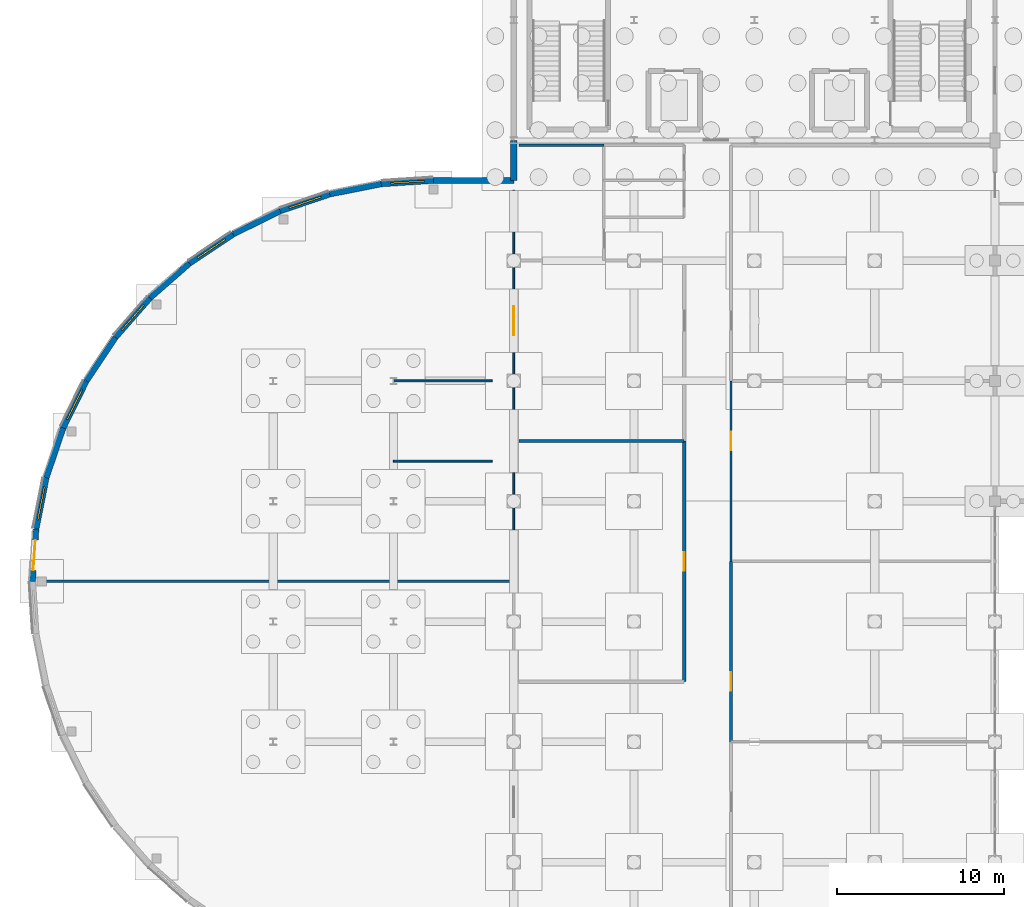
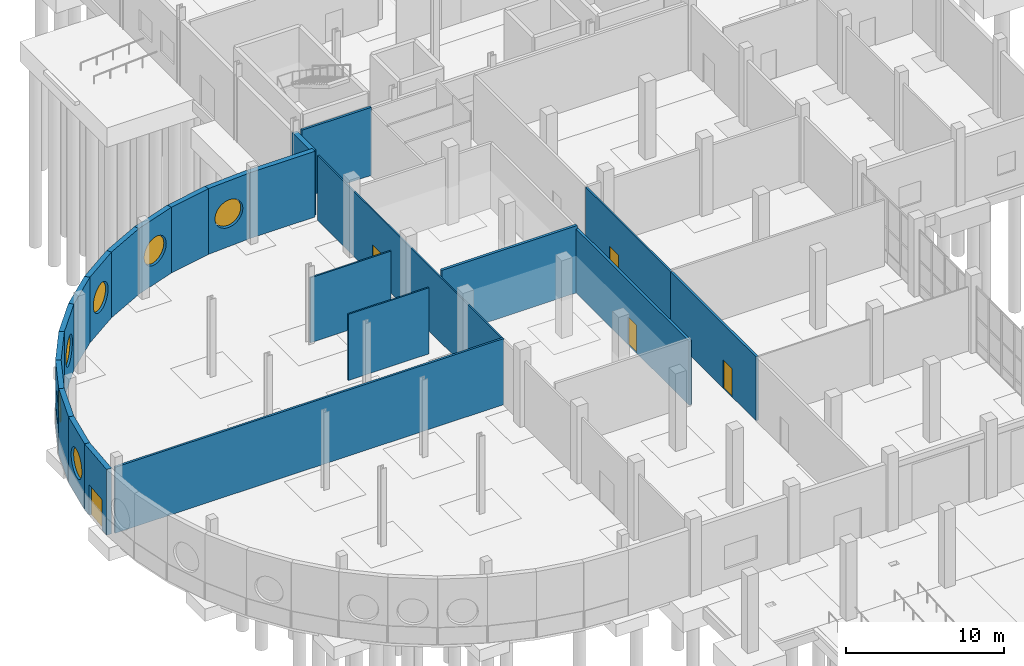
# One storey, part 30 of 45: 23 walls, 6 windows, 5 doors, 11 openings.
"""IFC4 building model written with IfcOpenShell, lengths in metres."""

from ifc_helpers import new_model, si_unit, direction, frame, frame_2d, origin, place, context, subcontext, project, spatial, polyline, rectangle, outline, extrude, material, layer, layer_set, type_object, element, fill, save


model = new_model("IFC4")

# Units and contexts
model_context = context("Model", 3, precision=1e-05, world=origin(), true_north=direction((0.0, 1.0)))
body_context = subcontext(model_context, "Body", "Model", "MODEL_VIEW")
ifc_project = project(units=[si_unit("LENGTHUNIT", "METRE"), si_unit("AREAUNIT", "SQUARE_METRE"), si_unit("VOLUMEUNIT", "CUBIC_METRE"), si_unit("PLANEANGLEUNIT", "RADIAN"), si_unit("MASSUNIT", "GRAM", prefix="KILO")], contexts=[model_context])

# Site, building, storey
site_placement = place(None, origin())
site = spatial("IfcSite", under=ifc_project, at=site_placement, CompositionType="ELEMENT")
building_placement = place(site_placement, origin())
building = spatial("IfcBuilding", under=site, at=building_placement, Name="Yarey Park Central Fire Station", CompositionType="ELEMENT")
storey_placement = place(building_placement, origin())
storey = spatial("IfcBuildingStorey", under=building, at=storey_placement, Name="L01", CompositionType="ELEMENT", Elevation=0.0)

# Wall, opening, window
ifc_material_1 = material(Name="Coral-Limestone Masonry Wall", Category="masonry")
ifc_layer_1 = layer(ifc_material_1, 0.360107421875)
ifc_layer_set_1 = layer_set([ifc_layer_1], Name="Coral-Limestone Masonry Wall")
wall_type_1 = type_object("IfcWallType", Name="ENV_WALL_LIME360", PredefinedType="STANDARD", material=ifc_layer_set_1)
wall_1_placement = place(storey_placement, frame((24.0, 55.199951171875, 0.0), z_axis=(0.0, 0.0, 1.0), x_axis=(-0.997858863202, -0.065404045199, 0.0)))
wall_1 = element("IfcWall", 1, at=wall_1_placement, inside=storey, type_object=wall_type_1, Name="EW_L01_V1_ARC_01", PredefinedType="STANDARD", context=body_context, shape_type="SweptSolid", body=[
    extrude(rectangle(XDim=3.139404296875, YDim=0.360107421875, at=frame_2d((1.56982421875, 0.0))), origin(), (0.0, 0.0, 1.0), 5.080078125),
])
opening_1_placement = place(wall_1_placement, frame((0.569580078125, 0.0, 1.550048828125)))
opening_1 = element("IfcOpeningElement", 2, at=opening_1_placement, cuts=wall_1, Name="Opening WN-PH200", PredefinedType="OPENING", context=body_context, shape_type="SweptSolid", body=[
    extrude(outline(polyline([(2.06494140625, 1.0), (2.02880859375, 1.275390625), (1.92236328125, 1.531982421875), (1.753173828125, 1.75244140625), (1.532470703125, 1.921630859375), (1.275634765625, 2.02783203125), (1.0, 2.064208984375), (0.724365234375, 2.02783203125), (0.467529296875, 1.921630859375), (0.246826171875, 1.75244140625), (0.07763671875, 1.531982421875), (-0.02880859375, 1.275390625), (-0.06494140625, 1.0), (-0.02880859375, 0.724609375), (0.07763671875, 0.468017578125), (0.246826171875, 0.24755859375), (0.467529296875, 0.078369140625), (0.724365234375, -0.02783203125), (1.0, -0.064208984375), (1.275634765625, -0.02783203125), (1.532470703125, 0.078369140625), (1.753173828125, 0.24755859375), (1.92236328125, 0.468017578125), (2.02880859375, 0.724609375), (2.06494140625, 1.0)])), frame((0.0, 0.18994140625, 0.0), z_axis=(0.0, -1.0, 0.0), x_axis=(1.0, 0.0, 0.0)), (0.0, 0.0, 1.0), 0.380126953125),
])
ifc_material_2 = material(Name="Laminated Hurricane Low-E Glass", Category="glass")
window_type = type_object("IfcWindowType", Name="ENV_WIN_PORTHOLE", PartitioningType="SINGLE_PANEL", PredefinedType="WINDOW", material=ifc_material_2)
window_1_placement = place(opening_1_placement, origin())
window_1 = element("IfcWindow", 3, at=window_1_placement, inside=storey, type_object=window_type, Name="WIN_L01_PORTHOLE_01", OverallHeight=2.0, OverallWidth=2.0, PartitioningType="SINGLE_PANEL", PredefinedType="WINDOW", context=body_context, shape_type="SweptSolid", body=[
    extrude(outline(polyline([(2.0, 1.0), (1.9658203125, 1.258544921875), (1.865966796875, 1.49951171875), (1.70703125, 1.70654296875), (1.5, 1.865234375), (1.2587890625, 1.965087890625), (1.0, 1.999267578125), (0.7412109375, 1.965087890625), (0.5, 1.865234375), (0.29296875, 1.70654296875), (0.134033203125, 1.49951171875), (0.0341796875, 1.258544921875), (0.0, 1.0), (0.0341796875, 0.741455078125), (0.134033203125, 0.50048828125), (0.29296875, 0.29345703125), (0.5, 0.134765625), (0.7412109375, 0.034912109375), (1.0, 0.000732421875), (1.2587890625, 0.034912109375), (1.5, 0.134765625), (1.70703125, 0.29345703125), (1.865966796875, 0.50048828125), (1.9658203125, 0.741455078125), (2.0, 1.0)])), frame((0.0, 0.030029296875, 0.0), z_axis=(0.0, -1.0, 0.0), x_axis=(1.0, 0.0, 0.0)), (0.0, 0.0, 1.0), 0.06005859375),
])
fill(opening_1, window_1)

# Wall
wall_2_placement = place(storey_placement, frame((20.867431640625, 54.99462890625, 0.0), z_axis=(0.0, 0.0, 1.0), x_axis=(-0.980795438829, -0.19503924521, 0.0)))
element("IfcWall", 4, at=wall_2_placement, inside=storey, type_object=wall_type_1, Name="EW_L01_V1_ARC_02", PredefinedType="STANDARD", context=body_context, shape_type="SweptSolid", body=[
    extrude(rectangle(XDim=3.139404296875, YDim=0.360107421875, at=frame_2d((1.56982421875, 0.0))), origin(), (0.0, 0.0, 1.0), 5.080078125),
])

# Wall, opening, window
wall_3_placement = place(storey_placement, frame((17.788330078125, 54.38232421875, 0.0), z_axis=(0.0, 0.0, 1.0), x_axis=(-0.946911073777, -0.321495596172, 0.0)))
wall_3 = element("IfcWall", 5, at=wall_3_placement, inside=storey, type_object=wall_type_1, Name="EW_L01_V1_ARC_03", PredefinedType="STANDARD", context=body_context, shape_type="SweptSolid", body=[
    extrude(rectangle(XDim=3.139404296875, YDim=0.360107421875, at=frame_2d((1.56982421875, 0.0))), origin(), (0.0, 0.0, 1.0), 5.080078125),
])
opening_2_placement = place(wall_3_placement, frame((0.569580078125, 0.0, 1.550048828125)))
opening_2 = element("IfcOpeningElement", 6, at=opening_2_placement, cuts=wall_3, Name="Opening WN-PH200", PredefinedType="OPENING", context=body_context, shape_type="SweptSolid", body=[
    extrude(outline(polyline([(2.06494140625, 1.0), (2.02880859375, 1.275390625), (1.92236328125, 1.531982421875), (1.753173828125, 1.75244140625), (1.532470703125, 1.921630859375), (1.275634765625, 2.02783203125), (1.0, 2.064208984375), (0.724365234375, 2.02783203125), (0.467529296875, 1.921630859375), (0.246826171875, 1.75244140625), (0.07763671875, 1.531982421875), (-0.02880859375, 1.275390625), (-0.06494140625, 1.0), (-0.02880859375, 0.724609375), (0.07763671875, 0.468017578125), (0.246826171875, 0.24755859375), (0.467529296875, 0.078369140625), (0.724365234375, -0.02783203125), (1.0, -0.064208984375), (1.275634765625, -0.02783203125), (1.532470703125, 0.078369140625), (1.753173828125, 0.24755859375), (1.92236328125, 0.468017578125), (2.02880859375, 0.724609375), (2.06494140625, 1.0)])), frame((0.0, 0.18994140625, 0.0), z_axis=(0.0, -1.0, 0.0), x_axis=(1.0, 0.0, 0.0)), (0.0, 0.0, 1.0), 0.380126953125),
])
window_2_placement = place(opening_2_placement, origin())
window_2 = element("IfcWindow", 7, at=window_2_placement, inside=storey, type_object=window_type, Name="WIN_L01_PORTHOLE_02", OverallHeight=2.0, OverallWidth=2.0, PartitioningType="SINGLE_PANEL", PredefinedType="WINDOW", context=body_context, shape_type="SweptSolid", body=[
    extrude(outline(polyline([(2.0, 1.0), (1.9658203125, 1.258544921875), (1.865966796875, 1.49951171875), (1.70703125, 1.70654296875), (1.5, 1.865234375), (1.2587890625, 1.965087890625), (1.0, 1.999267578125), (0.7412109375, 1.965087890625), (0.5, 1.865234375), (0.29296875, 1.70654296875), (0.134033203125, 1.49951171875), (0.0341796875, 1.258544921875), (0.0, 1.0), (0.0341796875, 0.741455078125), (0.134033203125, 0.50048828125), (0.29296875, 0.29345703125), (0.5, 0.134765625), (0.7412109375, 0.034912109375), (1.0, 0.000732421875), (1.2587890625, 0.034912109375), (1.5, 0.134765625), (1.70703125, 0.29345703125), (1.865966796875, 0.50048828125), (1.9658203125, 0.741455078125), (2.0, 1.0)])), frame((0.0, 0.030029296875, 0.0), z_axis=(0.0, -1.0, 0.0), x_axis=(1.0, 0.0, 0.0)), (0.0, 0.0, 1.0), 0.06005859375),
])
fill(opening_2, window_2)

# Wall
wall_4_placement = place(storey_placement, frame((14.815673828125, 53.373046875, 0.0), z_axis=(0.0, 0.0, 1.0), x_axis=(-0.896886505581, -0.442260778396, 0.0)))
element("IfcWall", 8, at=wall_4_placement, inside=storey, type_object=wall_type_1, Name="EW_L01_V1_ARC_04", PredefinedType="STANDARD", context=body_context, shape_type="SweptSolid", body=[
    extrude(rectangle(XDim=3.139404296875, YDim=0.360107421875, at=frame_2d((1.56982421875, 0.0))), origin(), (0.0, 0.0, 1.0), 5.080078125),
])

# Wall, opening, window
wall_5_placement = place(storey_placement, frame((12.0, 51.984619140625, 0.0), z_axis=(0.0, 0.0, 1.0), x_axis=(-0.831475575397, -0.555561308514, 0.0)))
wall_5 = element("IfcWall", 9, at=wall_5_placement, inside=storey, type_object=wall_type_1, Name="EW_L01_V1_ARC_05", PredefinedType="STANDARD", context=body_context, shape_type="SweptSolid", body=[
    extrude(rectangle(XDim=3.139404296875, YDim=0.360107421875, at=frame_2d((1.56982421875, 0.0))), origin(), (0.0, 0.0, 1.0), 5.080078125),
])
opening_3_placement = place(wall_5_placement, frame((0.569580078125, 0.0, 1.550048828125)))
opening_3 = element("IfcOpeningElement", 10, at=opening_3_placement, cuts=wall_5, Name="Opening WN-PH200", PredefinedType="OPENING", context=body_context, shape_type="SweptSolid", body=[
    extrude(outline(polyline([(2.06494140625, 1.0), (2.02880859375, 1.275390625), (1.92236328125, 1.531982421875), (1.753173828125, 1.75244140625), (1.532470703125, 1.921630859375), (1.275634765625, 2.02783203125), (1.0, 2.064208984375), (0.724365234375, 2.02783203125), (0.467529296875, 1.921630859375), (0.246826171875, 1.75244140625), (0.07763671875, 1.531982421875), (-0.02880859375, 1.275390625), (-0.06494140625, 1.0), (-0.02880859375, 0.724609375), (0.07763671875, 0.468017578125), (0.246826171875, 0.24755859375), (0.467529296875, 0.078369140625), (0.724365234375, -0.02783203125), (1.0, -0.064208984375), (1.275634765625, -0.02783203125), (1.532470703125, 0.078369140625), (1.753173828125, 0.24755859375), (1.92236328125, 0.468017578125), (2.02880859375, 0.724609375), (2.06494140625, 1.0)])), frame((0.0, 0.18994140625, 0.0), z_axis=(0.0, -1.0, 0.0), x_axis=(1.0, 0.0, 0.0)), (0.0, 0.0, 1.0), 0.380126953125),
])
window_3_placement = place(opening_3_placement, origin())
window_3 = element("IfcWindow", 11, at=window_3_placement, inside=storey, type_object=window_type, Name="WIN_L01_PORTHOLE_03", OverallHeight=2.0, OverallWidth=2.0, PartitioningType="SINGLE_PANEL", PredefinedType="WINDOW", context=body_context, shape_type="SweptSolid", body=[
    extrude(outline(polyline([(2.0, 1.0), (1.9658203125, 1.258544921875), (1.865966796875, 1.49951171875), (1.70703125, 1.70654296875), (1.5, 1.865234375), (1.2587890625, 1.965087890625), (1.0, 1.999267578125), (0.7412109375, 1.965087890625), (0.5, 1.865234375), (0.29296875, 1.70654296875), (0.134033203125, 1.49951171875), (0.0341796875, 1.258544921875), (0.0, 1.0), (0.0341796875, 0.741455078125), (0.134033203125, 0.50048828125), (0.29296875, 0.29345703125), (0.5, 0.134765625), (0.7412109375, 0.034912109375), (1.0, 0.000732421875), (1.2587890625, 0.034912109375), (1.5, 0.134765625), (1.70703125, 0.29345703125), (1.865966796875, 0.50048828125), (1.9658203125, 0.741455078125), (2.0, 1.0)])), frame((0.0, 0.030029296875, 0.0), z_axis=(0.0, -1.0, 0.0), x_axis=(1.0, 0.0, 0.0)), (0.0, 0.0, 1.0), 0.06005859375),
])
fill(opening_3, window_3)

# Wall
wall_6_placement = place(storey_placement, frame((9.3896484375, 50.240478515625, 0.0), z_axis=(0.0, 0.0, 1.0), x_axis=(-0.751829454472, -0.659357620255, 0.0)))
element("IfcWall", 12, at=wall_6_placement, inside=storey, type_object=wall_type_1, Name="EW_L01_V1_ARC_06", PredefinedType="STANDARD", context=body_context, shape_type="SweptSolid", body=[
    extrude(rectangle(XDim=3.13916015625, YDim=0.360107421875, at=frame_2d((1.569580078125, 0.0))), origin(), (0.0, 0.0, 1.0), 5.080078125),
])

# Wall, opening, window
wall_7_placement = place(storey_placement, frame((7.029541015625, 48.170654296875, 0.0), z_axis=(0.0, 0.0, 1.0), x_axis=(-0.659363026646, -0.75182471301, 0.0)))
wall_7 = element("IfcWall", 13, at=wall_7_placement, inside=storey, type_object=wall_type_1, Name="EW_L01_V1_ARC_07", PredefinedType="STANDARD", context=body_context, shape_type="SweptSolid", body=[
    extrude(rectangle(XDim=3.139404296875, YDim=0.360107421875, at=frame_2d((1.56982421875, 0.0))), origin(), (0.0, 0.0, 1.0), 5.080078125),
])
opening_4_placement = place(wall_7_placement, frame((0.569580078125, 0.0, 1.550048828125)))
opening_4 = element("IfcOpeningElement", 14, at=opening_4_placement, cuts=wall_7, Name="Opening WN-PH200", PredefinedType="OPENING", context=body_context, shape_type="SweptSolid", body=[
    extrude(outline(polyline([(2.06494140625, 1.0), (2.02880859375, 1.275390625), (1.92236328125, 1.531982421875), (1.753173828125, 1.75244140625), (1.532470703125, 1.921630859375), (1.275634765625, 2.02783203125), (1.0, 2.064208984375), (0.724365234375, 2.02783203125), (0.467529296875, 1.921630859375), (0.246826171875, 1.75244140625), (0.07763671875, 1.531982421875), (-0.02880859375, 1.275390625), (-0.06494140625, 1.0), (-0.02880859375, 0.724609375), (0.07763671875, 0.468017578125), (0.246826171875, 0.24755859375), (0.467529296875, 0.078369140625), (0.724365234375, -0.02783203125), (1.0, -0.064208984375), (1.275634765625, -0.02783203125), (1.532470703125, 0.078369140625), (1.753173828125, 0.24755859375), (1.92236328125, 0.468017578125), (2.02880859375, 0.724609375), (2.06494140625, 1.0)])), frame((0.0, 0.18994140625, 0.0), z_axis=(0.0, -1.0, 0.0), x_axis=(1.0, 0.0, 0.0)), (0.0, 0.0, 1.0), 0.380126953125),
])
window_4_placement = place(opening_4_placement, origin())
window_4 = element("IfcWindow", 15, at=window_4_placement, inside=storey, type_object=window_type, Name="WIN_L01_PORTHOLE_04", OverallHeight=2.0, OverallWidth=2.0, PartitioningType="SINGLE_PANEL", PredefinedType="WINDOW", context=body_context, shape_type="SweptSolid", body=[
    extrude(outline(polyline([(2.0, 1.0), (1.9658203125, 1.258544921875), (1.865966796875, 1.49951171875), (1.70703125, 1.70654296875), (1.5, 1.865234375), (1.2587890625, 1.965087890625), (1.0, 1.999267578125), (0.7412109375, 1.965087890625), (0.5, 1.865234375), (0.29296875, 1.70654296875), (0.134033203125, 1.49951171875), (0.0341796875, 1.258544921875), (0.0, 1.0), (0.0341796875, 0.741455078125), (0.134033203125, 0.50048828125), (0.29296875, 0.29345703125), (0.5, 0.134765625), (0.7412109375, 0.034912109375), (1.0, 0.000732421875), (1.2587890625, 0.034912109375), (1.5, 0.134765625), (1.70703125, 0.29345703125), (1.865966796875, 0.50048828125), (1.9658203125, 0.741455078125), (2.0, 1.0)])), frame((0.0, 0.030029296875, 0.0), z_axis=(0.0, -1.0, 0.0), x_axis=(1.0, 0.0, 0.0)), (0.0, 0.0, 1.0), 0.06005859375),
])
fill(opening_4, window_4)

# Wall
wall_8_placement = place(storey_placement, frame((4.95947265625, 45.810302734375, 0.0), z_axis=(0.0, 0.0, 1.0), x_axis=(-0.555561308514, -0.831475575397, 0.0)))
element("IfcWall", 16, at=wall_8_placement, inside=storey, type_object=wall_type_1, Name="EW_L01_V1_ARC_08", PredefinedType="STANDARD", context=body_context, shape_type="SweptSolid", body=[
    extrude(rectangle(XDim=3.139404296875, YDim=0.360107421875, at=frame_2d((1.56982421875, 0.0))), origin(), (0.0, 0.0, 1.0), 5.080078125),
])

# Wall, opening, window
wall_9_placement = place(storey_placement, frame((3.21533203125, 43.199951171875, 0.0), z_axis=(0.0, 0.0, 1.0), x_axis=(-0.442291627156, -0.896871293189, 0.0)))
wall_9 = element("IfcWall", 17, at=wall_9_placement, inside=storey, type_object=wall_type_1, Name="EW_L01_V1_ARC_09", PredefinedType="STANDARD", context=body_context, shape_type="SweptSolid", body=[
    extrude(rectangle(XDim=3.13916015625, YDim=0.360107421875, at=frame_2d((1.569580078125, 0.0))), origin(), (0.0, 0.0, 1.0), 5.080078125),
])
opening_5_placement = place(wall_9_placement, frame((0.569580078125, 0.0, 1.550048828125)))
opening_5 = element("IfcOpeningElement", 18, at=opening_5_placement, cuts=wall_9, Name="Opening WN-PH200", PredefinedType="OPENING", context=body_context, shape_type="SweptSolid", body=[
    extrude(outline(polyline([(2.06494140625, 1.0), (2.02880859375, 1.275390625), (1.92236328125, 1.531982421875), (1.753173828125, 1.75244140625), (1.532470703125, 1.921630859375), (1.275634765625, 2.02783203125), (1.0, 2.064208984375), (0.724365234375, 2.02783203125), (0.467529296875, 1.921630859375), (0.246826171875, 1.75244140625), (0.07763671875, 1.531982421875), (-0.02880859375, 1.275390625), (-0.06494140625, 1.0), (-0.02880859375, 0.724609375), (0.07763671875, 0.468017578125), (0.246826171875, 0.24755859375), (0.467529296875, 0.078369140625), (0.724365234375, -0.02783203125), (1.0, -0.064208984375), (1.275634765625, -0.02783203125), (1.532470703125, 0.078369140625), (1.753173828125, 0.24755859375), (1.92236328125, 0.468017578125), (2.02880859375, 0.724609375), (2.06494140625, 1.0)])), frame((0.0, 0.18994140625, 0.0), z_axis=(0.0, -1.0, 0.0), x_axis=(1.0, 0.0, 0.0)), (0.0, 0.0, 1.0), 0.380126953125),
])
window_5_placement = place(opening_5_placement, origin())
window_5 = element("IfcWindow", 19, at=window_5_placement, inside=storey, type_object=window_type, Name="WIN_L01_PORTHOLE_05", OverallHeight=2.0, OverallWidth=2.0, PartitioningType="SINGLE_PANEL", PredefinedType="WINDOW", context=body_context, shape_type="SweptSolid", body=[
    extrude(outline(polyline([(2.0, 1.0), (1.9658203125, 1.258544921875), (1.865966796875, 1.49951171875), (1.70703125, 1.70654296875), (1.5, 1.865234375), (1.2587890625, 1.965087890625), (1.0, 1.999267578125), (0.7412109375, 1.965087890625), (0.5, 1.865234375), (0.29296875, 1.70654296875), (0.134033203125, 1.49951171875), (0.0341796875, 1.258544921875), (0.0, 1.0), (0.0341796875, 0.741455078125), (0.134033203125, 0.50048828125), (0.29296875, 0.29345703125), (0.5, 0.134765625), (0.7412109375, 0.034912109375), (1.0, 0.000732421875), (1.2587890625, 0.034912109375), (1.5, 0.134765625), (1.70703125, 0.29345703125), (1.865966796875, 0.50048828125), (1.9658203125, 0.741455078125), (2.0, 1.0)])), frame((0.0, 0.030029296875, 0.0), z_axis=(0.0, -1.0, 0.0), x_axis=(1.0, 0.0, 0.0)), (0.0, 0.0, 1.0), 0.06005859375),
])
fill(opening_5, window_5)

# Wall
wall_10_placement = place(storey_placement, frame((1.826904296875, 40.384521484375, 0.0), z_axis=(0.0, 0.0, 1.0), x_axis=(-0.321402193691, -0.946942780685, 0.0)))
element("IfcWall", 20, at=wall_10_placement, inside=storey, type_object=wall_type_1, Name="EW_L01_V1_ARC_10", PredefinedType="STANDARD", context=body_context, shape_type="SweptSolid", body=[
    extrude(rectangle(XDim=3.139404296875, YDim=0.360107421875, at=frame_2d((1.56982421875, 0.0))), origin(), (0.0, 0.0, 1.0), 5.080078125),
])

# Wall, opening, window
wall_11_placement = place(storey_placement, frame((0.81787109375, 37.41162109375, 0.0), z_axis=(0.0, 0.0, 1.0), x_axis=(-0.195114052077, -0.980780559902, 0.0)))
wall_11 = element("IfcWall", 21, at=wall_11_placement, inside=storey, type_object=wall_type_1, Name="EW_L01_V1_ARC_11", PredefinedType="STANDARD", context=body_context, shape_type="SweptSolid", body=[
    extrude(rectangle(XDim=3.139404296875, YDim=0.360107421875, at=frame_2d((1.56982421875, 0.0))), origin(), (0.0, 0.0, 1.0), 5.080078125),
])
opening_6_placement = place(wall_11_placement, frame((0.569580078125, 0.0, 1.550048828125)))
opening_6 = element("IfcOpeningElement", 22, at=opening_6_placement, cuts=wall_11, Name="Opening WN-PH200", PredefinedType="OPENING", context=body_context, shape_type="SweptSolid", body=[
    extrude(outline(polyline([(2.06494140625, 1.0), (2.02880859375, 1.275390625), (1.92236328125, 1.531982421875), (1.753173828125, 1.75244140625), (1.532470703125, 1.921630859375), (1.275634765625, 2.02783203125), (1.0, 2.064208984375), (0.724365234375, 2.02783203125), (0.467529296875, 1.921630859375), (0.246826171875, 1.75244140625), (0.07763671875, 1.531982421875), (-0.02880859375, 1.275390625), (-0.06494140625, 1.0), (-0.02880859375, 0.724609375), (0.07763671875, 0.468017578125), (0.246826171875, 0.24755859375), (0.467529296875, 0.078369140625), (0.724365234375, -0.02783203125), (1.0, -0.064208984375), (1.275634765625, -0.02783203125), (1.532470703125, 0.078369140625), (1.753173828125, 0.24755859375), (1.92236328125, 0.468017578125), (2.02880859375, 0.724609375), (2.06494140625, 1.0)])), frame((0.0, 0.18994140625, 0.0), z_axis=(0.0, -1.0, 0.0), x_axis=(1.0, 0.0, 0.0)), (0.0, 0.0, 1.0), 0.380126953125),
])
window_6_placement = place(opening_6_placement, origin())
window_6 = element("IfcWindow", 23, at=window_6_placement, inside=storey, type_object=window_type, Name="WIN_L01_PORTHOLE_06", OverallHeight=2.0, OverallWidth=2.0, PartitioningType="SINGLE_PANEL", PredefinedType="WINDOW", context=body_context, shape_type="SweptSolid", body=[
    extrude(outline(polyline([(2.0, 1.0), (1.9658203125, 1.258544921875), (1.865966796875, 1.49951171875), (1.70703125, 1.70654296875), (1.5, 1.865234375), (1.2587890625, 1.965087890625), (1.0, 1.999267578125), (0.7412109375, 1.965087890625), (0.5, 1.865234375), (0.29296875, 1.70654296875), (0.134033203125, 1.49951171875), (0.0341796875, 1.258544921875), (0.0, 1.0), (0.0341796875, 0.741455078125), (0.134033203125, 0.50048828125), (0.29296875, 0.29345703125), (0.5, 0.134765625), (0.7412109375, 0.034912109375), (1.0, 0.000732421875), (1.2587890625, 0.034912109375), (1.5, 0.134765625), (1.70703125, 0.29345703125), (1.865966796875, 0.50048828125), (1.9658203125, 0.741455078125), (2.0, 1.0)])), frame((0.0, 0.030029296875, 0.0), z_axis=(0.0, -1.0, 0.0), x_axis=(1.0, 0.0, 0.0)), (0.0, 0.0, 1.0), 0.06005859375),
])
fill(opening_6, window_6)

# Wall, opening, door
wall_12_placement = place(storey_placement, frame((0.0, 31.199951171875, 0.0), z_axis=(0.0, 0.0, 1.0), x_axis=(0.065404045199, 0.997858863202, 0.0)))
wall_12 = element("IfcWall", 24, at=wall_12_placement, inside=storey, type_object=wall_type_1, Name="EW_L01_V1_ARC_12", PredefinedType="STANDARD", context=body_context, shape_type="SweptSolid", body=[
    extrude(rectangle(XDim=3.139404296875, YDim=0.360107421875, at=frame_2d((1.56982421875, 0.0))), origin(), (0.0, 0.0, 1.0), 5.080078125),
])
opening_7_placement = place(wall_12_placement, frame((0.65966796875, 0.0, 0.0)))
opening_7 = element("IfcOpeningElement", 25, at=opening_7_placement, cuts=wall_12, Name="Opening ED-182", PredefinedType="OPENING", context=body_context, shape_type="SweptSolid", body=[
    extrude(rectangle(XDim=1.820068359375, YDim=2.340087890625, at=frame_2d((0.91015625, 1.169921875))), frame((0.0, 0.18994140625, 0.0), z_axis=(0.0, -1.0, 0.0), x_axis=(1.0, 0.0, 0.0)), (0.0, 0.0, 1.0), 0.380126953125),
])
ifc_material_3 = material(Name="Galvanized Hollow Metal Door", Category="metal")
door_type_1 = type_object("IfcDoorType", Name="ENV_DOOR_EX1820", OperationType="NOTDEFINED", PredefinedType="DOOR", material=ifc_material_3)
door_1_placement = place(opening_7_placement, origin())
door_1 = element("IfcDoor", 26, at=door_1_placement, inside=storey, type_object=door_type_1, Name="DOOR_L01_EX_E07", OperationType="SINGLE_SWING_LEFT", OverallHeight=2.340087890625, OverallWidth=1.820068359375, PredefinedType="DOOR", context=body_context, shape_type="SweptSolid", body=[
    extrude(rectangle(XDim=1.820068359375, YDim=2.340087890625, at=frame_2d((0.91015625, 1.169921875))), frame((0.0, 0.02490234375, 0.0), z_axis=(0.0, -1.0, 0.0), x_axis=(1.0, 0.0, 0.0)), (0.0, 0.0, 1.0), 0.050048828125),
])
fill(opening_7, door_1)

# Walls
wall_13_placement = place(storey_placement, frame((28.800048828125, 55.199951171875, 0.0), z_axis=(0.0, 0.0, 1.0), x_axis=(-1.0, 0.0, 0.0)))
element("IfcWall", 27, at=wall_13_placement, inside=storey, type_object=wall_type_1, Name="EW_L01_V1_NECK_N", PredefinedType="STANDARD", context=body_context, shape_type="SweptSolid", body=[
    extrude(rectangle(XDim=4.800048828125, YDim=0.360107421875, at=frame_2d((2.39990234375, 0.0))), origin(), (0.0, 0.0, 1.0), 5.080078125),
])
wall_14_placement = place(storey_placement, frame((28.800048828125, 57.60009765625, 0.0), z_axis=(0.0, 0.0, 1.0), x_axis=(0.0, -1.0, 0.0)))
element("IfcWall", 28, at=wall_14_placement, inside=storey, type_object=wall_type_1, Name="EW_L01_V1_NECK_NW", PredefinedType="STANDARD", context=body_context, shape_type="SweptSolid", body=[
    extrude(rectangle(XDim=2.400146484375, YDim=0.360107421875, at=frame_2d((1.2001953125, 0.0))), origin(), (0.0, 0.0, 1.0), 5.02197265625),
])
ifc_material_4 = material(Name="Gypsum Shaftliner Assembly", Category="gypsum")
ifc_layer_2 = layer(ifc_material_4, 0.14990234375)
ifc_layer_set_2 = layer_set([ifc_layer_2], Name="Gypsum Shaftliner Assembly")
wall_type_2 = type_object("IfcWallType", Name="INT_WALL_AC150", PredefinedType="STANDARD", material=ifc_layer_set_2)
wall_15_placement = place(storey_placement, frame((28.800048828125, 31.199951171875, 0.0), z_axis=(0.0, 0.0, 1.0), x_axis=(-1.0, 0.0, 0.0)))
element("IfcWall", 29, at=wall_15_placement, inside=storey, type_object=wall_type_2, Name="PART_SPC_L01_CAFE_NORTH", PredefinedType="STANDARD", context=body_context, shape_type="SweptSolid", body=[
    extrude(rectangle(XDim=28.400146484375, YDim=0.14990234375, at=frame_2d((14.2001953125, 0.0))), origin(), (0.0, 0.0, 1.0), 5.10302734375),
])
ifc_layer_3 = layer(ifc_material_4, 0.169921875)
ifc_layer_set_3 = layer_set([ifc_layer_3], Name="Gypsum Shaftliner Assembly")
wall_type_3 = type_object("IfcWallType", Name="INT_WALL_AC170", PredefinedType="STANDARD", material=ifc_layer_set_3)
wall_16_placement = place(storey_placement, frame((34.199951171875, 57.300048828125, 0.0), z_axis=(0.0, 0.0, 1.0), x_axis=(-1.0, 0.0, 0.0)))
element("IfcWall", 30, at=wall_16_placement, inside=storey, type_object=wall_type_3, Name="PART_SPC_L01_FIRSTAID_NORTH", PredefinedType="STANDARD", context=body_context, shape_type="SweptSolid", body=[
    extrude(rectangle(XDim=5.099853515625, YDim=0.169921875, at=frame_2d((2.5498046875, 0.0))), origin(), (0.0, 0.0, 1.0), 5.258056640625),
])

# Wall, opening, door
wall_17_placement = place(storey_placement, frame((41.800048828125, 32.39990234375, 0.0), z_axis=(0.0, 0.0, 1.0), x_axis=(0.0, -1.0, 0.0)))
wall_17 = element("IfcWall", 31, at=wall_17_placement, inside=storey, type_object=wall_type_3, Name="PART_SPC_L01_YELLOW_WEST", PredefinedType="STANDARD", context=body_context, shape_type="SweptSolid", body=[
    extrude(rectangle(XDim=10.7998046875, YDim=0.169921875, at=frame_2d((5.39990234375, 0.0))), origin(), (0.0, 0.0, 1.0), 4.93896484375),
])
opening_8_placement = place(wall_17_placement, frame((6.64990234375, 0.0, 0.0)))
opening_8 = element("IfcOpeningElement", 32, at=opening_8_placement, cuts=wall_17, Name="Opening ID-110", PredefinedType="OPENING", context=body_context, shape_type="SweptSolid", body=[
    extrude(rectangle(XDim=1.10009765625, YDim=2.199951171875, at=frame_2d((0.550048828125, 1.10009765625))), frame((0.0, 0.094970703125, 0.0), z_axis=(0.0, -1.0, 0.0), x_axis=(1.0, 0.0, 0.0)), (0.0, 0.0, 1.0), 0.18994140625),
])
ifc_material_5 = material(Name="Hardwood Acoustic Leaf", Category="wood")
door_type_2 = type_object("IfcDoorType", Name="DR_INT_1100", OperationType="NOTDEFINED", PredefinedType="DOOR", material=ifc_material_5)
door_2_placement = place(opening_8_placement, origin())
door_2 = element("IfcDoor", 33, at=door_2_placement, inside=storey, type_object=door_type_2, Name="DOOR_SPC_L01_YELLOW", OperationType="SINGLE_SWING_LEFT", OverallHeight=2.199951171875, OverallWidth=1.10009765625, PredefinedType="DOOR", context=body_context, shape_type="SweptSolid", body=[
    extrude(rectangle(XDim=1.10009765625, YDim=2.199951171875, at=frame_2d((0.550048828125, 1.10009765625))), frame((0.0, 0.02490234375, 0.0), z_axis=(0.0, -1.0, 0.0), x_axis=(1.0, 0.0, 0.0)), (0.0, 0.0, 1.0), 0.050048828125),
])
fill(opening_8, door_2)

# Wall
ifc_material_6 = material(Name="Concrete C35/45", Category="concrete")
ifc_layer_4 = layer(ifc_material_6, 0.18994140625)
ifc_layer_set_4 = layer_set([ifc_layer_4], Name="Concrete C35/45")
wall_type_4 = type_object("IfcWallType", Name="INT_WALL_CMU190", PredefinedType="STANDARD", material=ifc_layer_set_4)
wall_18_placement = place(storey_placement, frame((39.0, 39.60009765625, 0.0), z_axis=(0.0, 0.0, 1.0), x_axis=(-1.0, 0.0, 0.0)))
element("IfcWall", 34, at=wall_18_placement, inside=storey, type_object=wall_type_4, Name="PART_SPC_L01_WATCH_NORTH", PredefinedType="STANDARD", context=body_context, shape_type="SweptSolid", body=[
    extrude(rectangle(XDim=9.89990234375, YDim=0.18994140625, at=frame_2d((4.949951171875, 0.0))), origin(), (0.0, 0.0, 1.0), 5.177978515625),
])

# Wall, opening, door
wall_19_placement = place(storey_placement, frame((39.0, 25.199951171875, 0.0), z_axis=(0.0, 0.0, 1.0), x_axis=(0.0, 1.0, 0.0)))
wall_19 = element("IfcWall", 35, at=wall_19_placement, inside=storey, type_object=wall_type_4, Name="PART_SPC_L01_WATCH_EAST", PredefinedType="STANDARD", context=body_context, shape_type="SweptSolid", body=[
    extrude(rectangle(XDim=14.400146484375, YDim=0.18994140625, at=frame_2d((7.2001953125, 0.0))), origin(), (0.0, 0.0, 1.0), 4.93896484375),
])
opening_9_placement = place(wall_19_placement, frame((6.64990234375, 0.0, 0.0)))
opening_9 = element("IfcOpeningElement", 36, at=opening_9_placement, cuts=wall_19, Name="Opening FD-110", PredefinedType="OPENING", context=body_context, shape_type="SweptSolid", body=[
    extrude(rectangle(XDim=1.10009765625, YDim=2.159912109375, at=frame_2d((0.550048828125, 1.080078125))), frame((0.0, 0.10498046875, 0.0), z_axis=(0.0, -1.0, 0.0), x_axis=(1.0, 0.0, 0.0)), (0.0, 0.0, 1.0), 0.2099609375),
])
door_type_3 = type_object("IfcDoorType", Name="DR_FD_1100", OperationType="NOTDEFINED", PredefinedType="DOOR", material=ifc_material_3)
door_3_placement = place(opening_9_placement, origin())
door_3 = element("IfcDoor", 37, at=door_3_placement, inside=storey, type_object=door_type_3, Name="DOOR_SPC_L01_WATCH", OperationType="SINGLE_SWING_RIGHT", OverallHeight=2.159912109375, OverallWidth=1.10009765625, PredefinedType="DOOR", context=body_context, shape_type="SweptSolid", body=[
    extrude(rectangle(XDim=1.10009765625, YDim=2.159912109375, at=frame_2d((0.550048828125, 1.080078125))), frame((0.0, 0.02490234375, 0.0), z_axis=(0.0, -1.0, 0.0), x_axis=(1.0, 0.0, 0.0)), (0.0, 0.0, 1.0), 0.050048828125),
])
fill(opening_9, door_3)

# Walls
ifc_material_7 = material(Name="Operable Acoustic Panel Partition", Category="metal")
ifc_layer_5 = layer(ifc_material_7, 0.112060546875)
ifc_layer_set_5 = layer_set([ifc_layer_5], Name="Operable Acoustic Panel Partition")
wall_type_5 = type_object("IfcWallType", Name="INT_WALL_MOV112", PredefinedType="MOVABLE", material=ifc_layer_set_5)
wall_20_placement = place(storey_placement, frame((27.5, 38.39990234375, 0.0), z_axis=(0.0, 0.0, 1.0), x_axis=(-1.0, 0.0, 0.0)))
element("IfcWall", 38, at=wall_20_placement, inside=storey, type_object=wall_type_5, Name="MOV_L01_EXPO_1", PredefinedType="MOVABLE", context=body_context, shape_type="SweptSolid", body=[
    extrude(rectangle(XDim=5.89990234375, YDim=0.112060546875, at=frame_2d((2.949951171875, 0.0))), origin(), (0.0, 0.0, 1.0), 5.10302734375),
])
wall_21_placement = place(storey_placement, frame((27.5, 43.199951171875, 0.0), z_axis=(0.0, 0.0, 1.0), x_axis=(-1.0, 0.0, 0.0)))
element("IfcWall", 39, at=wall_21_placement, inside=storey, type_object=wall_type_5, Name="MOV_L01_EXPO_2", PredefinedType="MOVABLE", context=body_context, shape_type="SweptSolid", body=[
    extrude(rectangle(XDim=5.89990234375, YDim=0.112060546875, at=frame_2d((2.949951171875, 0.0))), origin(), (0.0, 0.0, 1.0), 5.02197265625),
])

# Wall, opening, door
ifc_material_8 = material(Name="Gypsum Acoustic Partition", Category="gypsum")
ifc_layer_6 = layer(ifc_material_8, 0.10205078125)
ifc_layer_set_6 = layer_set([ifc_layer_6], Name="Gypsum Acoustic Partition")
wall_type_6 = type_object("IfcWallType", Name="INT_WALL_PT102", PredefinedType="STANDARD", material=ifc_layer_set_6)
wall_22_placement = place(storey_placement, frame((28.800048828125, 31.199951171875, 0.0), z_axis=(0.0, 0.0, 1.0), x_axis=(0.0, 1.0, 0.0)))
wall_22 = element("IfcWall", 40, at=wall_22_placement, inside=storey, type_object=wall_type_6, Name="PART_SPC_L01_EXPO_EAST", PredefinedType="STANDARD", context=body_context, shape_type="SweptSolid", body=[
    extrude(rectangle(XDim=23.400146484375, YDim=0.10205078125, at=frame_2d((11.7001953125, 0.0))), origin(), (0.0, 0.0, 1.0), 5.02197265625),
])
opening_10_placement = place(wall_22_placement, frame((14.72998046875, 0.0, 0.0)))
opening_10 = element("IfcOpeningElement", 41, at=opening_10_placement, cuts=wall_22, Name="Opening ID-175", PredefinedType="OPENING", context=body_context, shape_type="SweptSolid", body=[
    extrude(rectangle(XDim=1.739990234375, YDim=2.340087890625, at=frame_2d((0.8701171875, 1.169921875))), frame((0.0, 0.06103515625, 0.0), z_axis=(0.0, -1.0, 0.0), x_axis=(1.0, 0.0, 0.0)), (0.0, 0.0, 1.0), 0.1220703125),
])
door_type_4 = type_object("IfcDoorType", Name="DR_INT_1750", OperationType="NOTDEFINED", PredefinedType="DOOR", material=ifc_material_5)
door_4_placement = place(opening_10_placement, origin())
door_4 = element("IfcDoor", 42, at=door_4_placement, inside=storey, type_object=door_type_4, Name="DOOR_SPC_L01_EXPO", OperationType="SINGLE_SWING_LEFT", OverallHeight=2.340087890625, OverallWidth=1.739990234375, PredefinedType="DOOR", context=body_context, shape_type="SweptSolid", body=[
    extrude(rectangle(XDim=1.739990234375, YDim=2.340087890625, at=frame_2d((0.8701171875, 1.169921875))), frame((0.0, 0.02490234375, 0.0), z_axis=(0.0, -1.0, 0.0), x_axis=(1.0, 0.0, 0.0)), (0.0, 0.0, 1.0), 0.050048828125),
])
fill(opening_10, door_4)

ifc_layer_7 = layer(ifc_material_8, 0.117919921875)
ifc_layer_set_7 = layer_set([ifc_layer_7], Name="Gypsum Acoustic Partition")
wall_type_7 = type_object("IfcWallType", Name="INT_WALL_PT118", PredefinedType="STANDARD", material=ifc_layer_set_7)
wall_23_placement = place(storey_placement, frame((41.800048828125, 43.199951171875, 0.0), z_axis=(0.0, 0.0, 1.0), x_axis=(0.0, -1.0, 0.0)))
wall_23 = element("IfcWall", 43, at=wall_23_placement, inside=storey, type_object=wall_type_7, Name="PART_SPC_L01_GREEN_WEST", PredefinedType="STANDARD", context=body_context, shape_type="SweptSolid", body=[
    extrude(rectangle(XDim=10.800048828125, YDim=0.117919921875, at=frame_2d((5.39990234375, 0.0))), origin(), (0.0, 0.0, 1.0), 4.93896484375),
])
opening_11_placement = place(wall_23_placement, frame((3.0400390625, 0.0, 0.0)))
opening_11 = element("IfcOpeningElement", 44, at=opening_11_placement, cuts=wall_23, Name="Opening ID-112", PredefinedType="OPENING", context=body_context, shape_type="SweptSolid", body=[
    extrude(rectangle(XDim=1.1201171875, YDim=2.199951171875, at=frame_2d((0.56005859375, 1.10009765625))), frame((0.0, 0.06884765625, 0.0), z_axis=(0.0, -1.0, 0.0), x_axis=(1.0, 0.0, 0.0)), (0.0, 0.0, 1.0), 0.137939453125),
])
door_type_5 = type_object("IfcDoorType", Name="DR_INT_1120", OperationType="NOTDEFINED", PredefinedType="DOOR", material=ifc_material_5)
door_5_placement = place(opening_11_placement, origin())
door_5 = element("IfcDoor", 45, at=door_5_placement, inside=storey, type_object=door_type_5, Name="DOOR_SPC_L01_GREEN", OperationType="SINGLE_SWING_RIGHT", OverallHeight=2.199951171875, OverallWidth=1.1201171875, PredefinedType="DOOR", context=body_context, shape_type="SweptSolid", body=[
    extrude(rectangle(XDim=1.1201171875, YDim=2.199951171875, at=frame_2d((0.56005859375, 1.10009765625))), frame((0.0, 0.02490234375, 0.0), z_axis=(0.0, -1.0, 0.0), x_axis=(1.0, 0.0, 0.0)), (0.0, 0.0, 1.0), 0.050048828125),
])
fill(opening_11, door_5)

save(model, "model.ifc")
